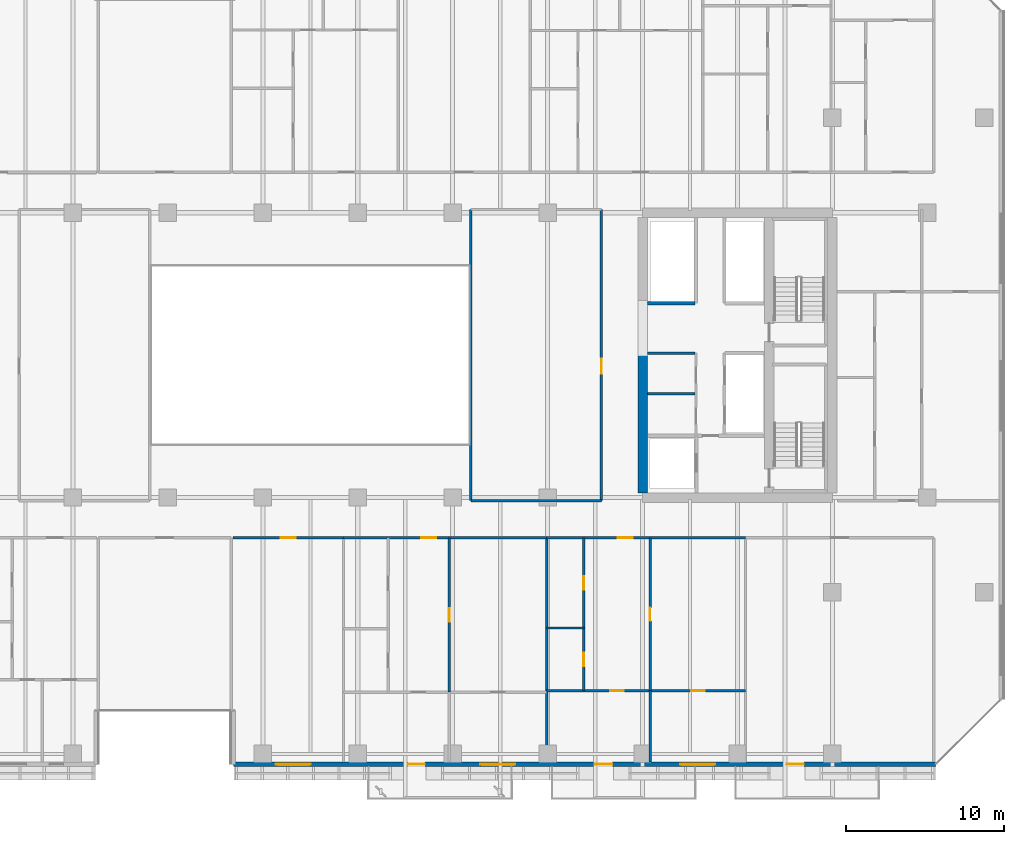
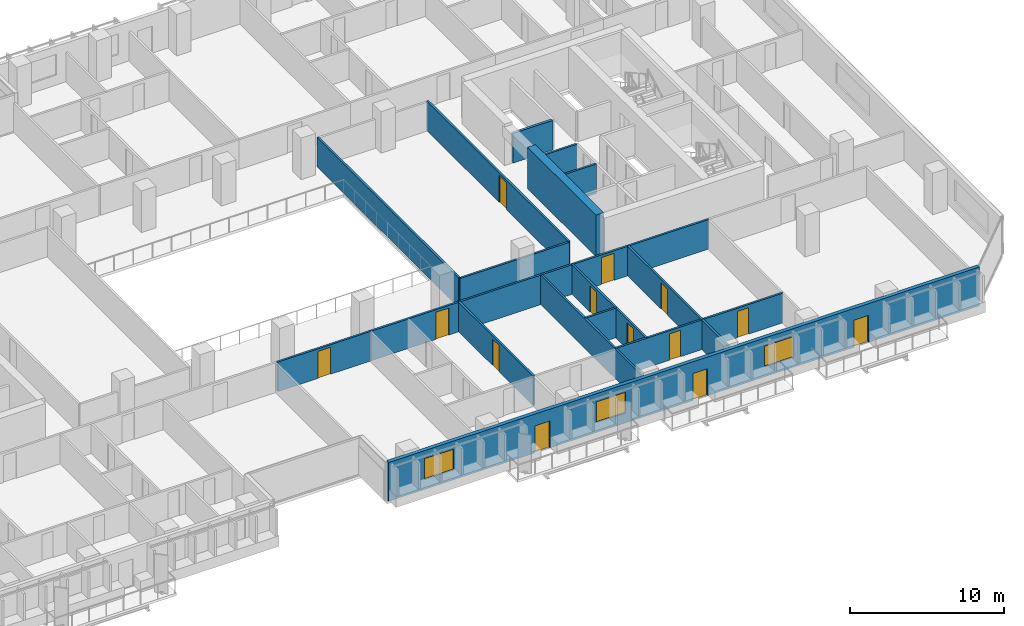
# One storey, part 21 of 34: 18 walls, 13 doors, 3 windows, 16 openings.
"""IFC4 building model written with IfcOpenShell, lengths in metres."""

from ifc_helpers import new_model, si_unit, direction, frame, frame_2d, origin, place, context, subcontext, project, spatial, rectangle, extrude, material, layer, layer_set, type_object, element, fill, save


model = new_model("IFC4")

# Units and contexts
model_context = context("Model", 3, precision=1e-05, world=origin(), true_north=direction((0.0, 1.0)))
body_context = subcontext(model_context, "Body", "Model", "MODEL_VIEW")
ifc_project = project(units=[si_unit("LENGTHUNIT", "METRE"), si_unit("AREAUNIT", "SQUARE_METRE"), si_unit("VOLUMEUNIT", "CUBIC_METRE"), si_unit("PLANEANGLEUNIT", "RADIAN"), si_unit("MASSUNIT", "GRAM", prefix="KILO")], contexts=[model_context])

# Site, building, storey
site_placement = place(None, origin())
site = spatial("IfcSite", under=ifc_project, at=site_placement, CompositionType="ELEMENT")
building_placement = place(site_placement, origin())
building = spatial("IfcBuilding", under=site, at=building_placement, Name="Tanjung Sevakor Pilgrim Tower", CompositionType="ELEMENT")
storey_placement = place(building_placement, frame((0.0, 0.0, 55.43994140625)))
storey = spatial("IfcBuildingStorey", under=building, at=storey_placement, Name="L15", CompositionType="ELEMENT", Elevation=55.43994140625)

# Walls
ifc_material_1 = material(Name="Concrete C60/75", Category="concrete")
ifc_layer_1 = layer(ifc_material_1, 0.60009765625)
ifc_layer_set_1 = layer_set([ifc_layer_1], Name="WALL-CW-600")
wall_type_1 = type_object("IfcWallType", Name="WALL-CW-600", PredefinedType="SHEAR", material=ifc_layer_set_1)
wall_1_placement = place(storey_placement, frame((78.0, 24.89990234375, 0.0), z_axis=(0.0, 0.0, 1.0), x_axis=(0.0, 1.0, 0.0)))
element("IfcWall", 1, at=wall_1_placement, inside=storey, type_object=wall_type_1, Name="L15 E Core Inner Shear Wall South", PredefinedType="SHEAR", context=body_context, shape_type="SweptSolid", body=[
    extrude(rectangle(XDim=8.900146484375, YDim=0.60009765625, at=frame_2d((4.4501953125, 0.0))), origin(), (0.0, 0.0, 1.0), 3.300048828125),
])
ifc_material_2 = material(Name="Concrete C40/50", Category="concrete")
ifc_layer_2 = layer(ifc_material_2, 0.14990234375)
ifc_layer_set_2 = layer_set([ifc_layer_2], Name="WT-COMP-150")
wall_type_2 = type_object("IfcWallType", Name="WT-COMP-150", PredefinedType="SOLIDWALL", material=ifc_layer_set_2)
for number, where, z_axis, x_axis, name in (
    (2, (78.320068359375, 31.14990234375, 0.0), (0.0, 0.0, 1.0), (1.0, 0.0, 0.0), "L15 Partition IW-L15-016"),
    (3, (78.320068359375, 33.719970703125, 0.0), (0.0, 0.0, 1.0), (1.0, 0.0, 0.0), "L15 Partition IW-L15-017"),
):
    element("IfcWall", number, at=place(storey_placement, frame(where, z_axis=z_axis, x_axis=x_axis)), inside=storey, type_object=wall_type_2, Name=name, PredefinedType="SOLIDWALL", context=body_context, shape_type="SweptSolid", body=[
        extrude(rectangle(XDim=3.0, YDim=0.14990234375, at=frame_2d((1.5, 0.0))), origin(), (0.0, 0.0, 1.0), 2.35009765625),
    ])
wall_2_placement = place(storey_placement, frame((67.14990234375, 24.39990234375, 0.0), z_axis=(0.0, 0.0, 1.0), x_axis=(1.0, 0.0, 0.0)))
element("IfcWall", 4, at=wall_2_placement, inside=storey, type_object=wall_type_2, Name="L15 Partition IW-L15-027", PredefinedType="SOLIDWALL", context=body_context, shape_type="SweptSolid", body=[
    extrude(rectangle(XDim=8.25, YDim=0.14990234375, at=frame_2d((4.125, 0.0))), origin(), (0.0, 0.0, 1.0), 2.295166015625),
])
wall_3_placement = place(storey_placement, frame((67.14990234375, 24.39990234375, 0.0), z_axis=(0.0, 0.0, 1.0), x_axis=(0.0, 1.0, 0.0)))
element("IfcWall", 5, at=wall_3_placement, inside=storey, type_object=wall_type_2, Name="L15 Partition IW-L15-029", PredefinedType="SOLIDWALL", context=body_context, shape_type="SweptSolid", body=[
    extrude(rectangle(XDim=18.400146484375, YDim=0.14990234375, at=frame_2d((9.2001953125, 0.0))), origin(), (0.0, 0.0, 1.0), 2.35009765625),
])

# Wall, opening, door
wall_4_placement = place(storey_placement, frame((75.39990234375, 24.39990234375, 0.0), z_axis=(0.0, 0.0, 1.0), x_axis=(0.0, 1.0, 0.0)))
wall_4 = element("IfcWall", 6, at=wall_4_placement, inside=storey, type_object=wall_type_2, Name="L15 Partition IW-L15-030", PredefinedType="SOLIDWALL", context=body_context, shape_type="SweptSolid", body=[
    extrude(rectangle(XDim=18.400146484375, YDim=0.14990234375, at=frame_2d((9.2001953125, 0.0))), origin(), (0.0, 0.0, 1.0), 2.35009765625),
])
opening_1_placement = place(wall_4_placement, frame((8.02490234375, 0.0, 0.0)))
opening_1 = element("IfcOpeningElement", 7, at=opening_1_placement, cuts=wall_4, Name="Opening ID-RM1", PredefinedType="OPENING", context=body_context, shape_type="SweptSolid", body=[
    extrude(rectangle(XDim=0.949951171875, YDim=2.14990234375, at=frame_2d((0.47509765625, 1.074951171875))), frame((0.0, 0.0849609375, 0.0), z_axis=(0.0, -1.0, 0.0), x_axis=(1.0, 0.0, 0.0)), (0.0, 0.0, 1.0), 0.169921875),
])
ifc_material_3 = material(Name="Hardwood Timber", Category="wood")
door_type_1 = type_object("IfcDoorType", Name="DT-INT-950", OperationType="NOTDEFINED", PredefinedType="DOOR", material=ifc_material_3)
door_1_placement = place(opening_1_placement, origin())
door_1 = element("IfcDoor", 8, at=door_1_placement, inside=storey, type_object=door_type_1, Name="L15 Central East Room Door", OperationType="SINGLE_SWING_RIGHT", OverallHeight=2.14990234375, OverallWidth=0.949951171875, PredefinedType="DOOR", context=body_context, shape_type="SweptSolid", body=[
    extrude(rectangle(XDim=0.949951171875, YDim=2.14990234375, at=frame_2d((0.47509765625, 1.074951171875))), frame((0.0, 0.02490234375, 0.0), z_axis=(0.0, -1.0, 0.0), x_axis=(1.0, 0.0, 0.0)), (0.0, 0.0, 1.0), 0.050048828125),
])
fill(opening_1, door_1)

wall_5_placement = place(storey_placement, frame((52.1201171875, 22.050048828125, 0.0), z_axis=(0.0, 0.0, 1.0), x_axis=(1.0, 0.0, 0.0)))
wall_5 = element("IfcWall", 9, at=wall_5_placement, inside=storey, type_object=wall_type_2, Name="L15 Partition IW-L15-060", PredefinedType="SOLIDWALL", context=body_context, shape_type="SweptSolid", body=[
    extrude(rectangle(XDim=6.979736328125, YDim=0.14990234375, at=frame_2d((3.48974609375, 0.0))), origin(), (0.0, 0.0, 1.0), 2.35009765625),
])
opening_2_placement = place(wall_5_placement, frame((3.014892578125, 0.0, 0.0)))
opening_2 = element("IfcOpeningElement", 10, at=opening_2_placement, cuts=wall_5, Name="Opening ID-FD2", PredefinedType="OPENING", context=body_context, shape_type="SweptSolid", body=[
    extrude(rectangle(XDim=0.949951171875, YDim=2.14990234375, at=frame_2d((0.47509765625, 1.074951171875))), frame((0.0, 0.0849609375, 0.0), z_axis=(0.0, -1.0, 0.0), x_axis=(1.0, 0.0, 0.0)), (0.0, 0.0, 1.0), 0.169921875),
])
ifc_material_4 = material(Name="Fire-Rated Timber", Category="wood")
door_type_2 = type_object("IfcDoorType", Name="DT-FIRE-950", OperationType="NOTDEFINED", PredefinedType="DOOR", material=ifc_material_4)
door_2_placement = place(opening_2_placement, origin())
door_2 = element("IfcDoor", 11, at=door_2_placement, inside=storey, type_object=door_type_2, Name="Housekeeping Pantry Door", OperationType="SINGLE_SWING_LEFT", OverallHeight=2.14990234375, OverallWidth=0.949951171875, PredefinedType="DOOR", context=body_context, shape_type="SweptSolid", body=[
    extrude(rectangle(XDim=0.949951171875, YDim=2.14990234375, at=frame_2d((0.47509765625, 1.074951171875))), frame((0.0, 0.02490234375, 0.0), z_axis=(0.0, -1.0, 0.0), x_axis=(1.0, 0.0, 0.0)), (0.0, 0.0, 1.0), 0.050048828125),
])
fill(opening_2, door_2)

# Wall
wall_6_placement = place(storey_placement, frame((71.942626953125, 7.8798828125, 0.0), z_axis=(0.0, 0.0, 1.0), x_axis=(0.0, 1.0, 0.0)))
element("IfcWall", 12, at=wall_6_placement, inside=storey, type_object=wall_type_2, Name="L15 Partition IW-L15-061", PredefinedType="SOLIDWALL", context=body_context, shape_type="SweptSolid", body=[
    extrude(rectangle(XDim=14.170166015625, YDim=0.14990234375, at=frame_2d((7.0849609375, 0.0))), origin(), (0.0, 0.0, 1.0), 2.35009765625),
])

# Wall, opening, door
wall_7_placement = place(storey_placement, frame((59.099853515625, 22.050048828125, 0.0), z_axis=(0.0, 0.0, 1.0), x_axis=(1.0, 0.0, 0.0)))
wall_7 = element("IfcWall", 13, at=wall_7_placement, inside=storey, type_object=wall_type_2, Name="L15 Partition IW-L15-067", PredefinedType="SOLIDWALL", context=body_context, shape_type="SweptSolid", body=[
    extrude(rectangle(XDim=12.8427734375, YDim=0.14990234375, at=frame_2d((6.42138671875, 0.0))), origin(), (0.0, 0.0, 1.0), 2.35009765625),
])
opening_3_placement = place(wall_7_placement, frame((4.916015625, 0.0, 0.0)))
opening_3 = element("IfcOpeningElement", 14, at=opening_3_placement, cuts=wall_7, Name="Opening ID-FD2", PredefinedType="OPENING", context=body_context, shape_type="SweptSolid", body=[
    extrude(rectangle(XDim=0.949951171875, YDim=2.14990234375, at=frame_2d((0.47509765625, 1.074951171875))), frame((0.0, 0.0849609375, 0.0), z_axis=(0.0, -1.0, 0.0), x_axis=(1.0, 0.0, 0.0)), (0.0, 0.0, 1.0), 0.169921875),
])
door_3_placement = place(opening_3_placement, origin())
door_3 = element("IfcDoor", 15, at=door_3_placement, inside=storey, type_object=door_type_2, Name="Suite Entrance", OperationType="SINGLE_SWING_LEFT", OverallHeight=2.14990234375, OverallWidth=0.949951171875, PredefinedType="DOOR", context=body_context, shape_type="SweptSolid", body=[
    extrude(rectangle(XDim=0.949951171875, YDim=2.14990234375, at=frame_2d((0.47509765625, 1.074951171875))), frame((0.0, 0.02490234375, 0.0), z_axis=(0.0, -1.0, 0.0), x_axis=(1.0, 0.0, 0.0)), (0.0, 0.0, 1.0), 0.050048828125),
])
fill(opening_3, door_3)

wall_8_placement = place(storey_placement, frame((71.942626953125, 22.050048828125, 0.0), z_axis=(0.0, 0.0, 1.0), x_axis=(1.0, 0.0, 0.0)))
wall_8 = element("IfcWall", 16, at=wall_8_placement, inside=storey, type_object=wall_type_2, Name="L15 Partition IW-L15-074", PredefinedType="SOLIDWALL", context=body_context, shape_type="SweptSolid", body=[
    extrude(rectangle(XDim=12.563720703125, YDim=0.14990234375, at=frame_2d((6.28173828125, 0.0))), origin(), (0.0, 0.0, 1.0), 2.35009765625),
])
opening_4_placement = place(wall_8_placement, frame((4.493408203125, 0.0, 0.0)))
opening_4 = element("IfcOpeningElement", 17, at=opening_4_placement, cuts=wall_8, Name="Opening ID-FD2", PredefinedType="OPENING", context=body_context, shape_type="SweptSolid", body=[
    extrude(rectangle(XDim=0.949951171875, YDim=2.14990234375, at=frame_2d((0.47509765625, 1.074951171875))), frame((0.0, 0.0849609375, 0.0), z_axis=(0.0, -1.0, 0.0), x_axis=(1.0, 0.0, 0.0)), (0.0, 0.0, 1.0), 0.169921875),
])
door_4_placement = place(opening_4_placement, origin())
door_4 = element("IfcDoor", 18, at=door_4_placement, inside=storey, type_object=door_type_2, Name="Suite Entrance", OperationType="SINGLE_SWING_LEFT", OverallHeight=2.14990234375, OverallWidth=0.949951171875, PredefinedType="DOOR", context=body_context, shape_type="SweptSolid", body=[
    extrude(rectangle(XDim=0.949951171875, YDim=2.14990234375, at=frame_2d((0.47509765625, 1.074951171875))), frame((0.0, 0.02490234375, 0.0), z_axis=(0.0, -1.0, 0.0), x_axis=(1.0, 0.0, 0.0)), (0.0, 0.0, 1.0), 0.050048828125),
])
fill(opening_4, door_4)

# Wall, openings, doors, windows
ifc_material_5 = material(Name="Precast concrete C45/55", Category="concrete")
ifc_layer_3 = layer(ifc_material_5, 0.280029296875)
ifc_layer_set_3 = layer_set([ifc_layer_3], Name="WT-EW-STN2")
wall_type_3 = type_object("IfcWallType", Name="WT-EW-STN2", PredefinedType="SOLIDWALL", material=ifc_layer_set_3)
wall_9_placement = place(storey_placement, frame((52.139892578125, 7.739990234375, 0.0), z_axis=(0.0, 0.0, 1.0), x_axis=(1.0, 0.0, 0.0)))
wall_9 = element("IfcWall", 19, at=wall_9_placement, inside=storey, type_object=wall_type_3, Name="L15 MAIN Exterior Wall 5", PredefinedType="SOLIDWALL", context=body_context, shape_type="SweptSolid", body=[
    extrude(rectangle(XDim=44.402099609375, YDim=0.280029296875, at=frame_2d((22.201171875, 0.0))), origin(), (0.0, 0.0, 1.0), 3.080078125),
])
opening_5_placement = place(wall_9_placement, frame((11.010009765625, 0.0, 0.0)))
opening_5 = element("IfcOpeningElement", 20, at=opening_5_placement, cuts=wall_9, Name="Opening ED-BAL-1100", PredefinedType="OPENING", context=body_context, shape_type="SweptSolid", body=[
    extrude(rectangle(XDim=1.10009765625, YDim=2.14990234375, at=frame_2d((0.550048828125, 1.074951171875))), frame((0.0, 0.14990234375, 0.0), z_axis=(0.0, -1.0, 0.0), x_axis=(1.0, 0.0, 0.0)), (0.0, 0.0, 1.0), 0.300048828125),
])
opening_6_placement = place(wall_9_placement, frame((22.860107421875, 0.0, 0.0)))
opening_6 = element("IfcOpeningElement", 21, at=opening_6_placement, cuts=wall_9, Name="Opening ED-BAL-1100", PredefinedType="OPENING", context=body_context, shape_type="SweptSolid", body=[
    extrude(rectangle(XDim=1.10009765625, YDim=2.14990234375, at=frame_2d((0.550048828125, 1.074951171875))), frame((0.0, 0.14990234375, 0.0), z_axis=(0.0, -1.0, 0.0), x_axis=(1.0, 0.0, 0.0)), (0.0, 0.0, 1.0), 0.300048828125),
])
opening_7_placement = place(wall_9_placement, frame((34.9599609375, 0.0, 0.0)))
opening_7 = element("IfcOpeningElement", 22, at=opening_7_placement, cuts=wall_9, Name="Opening ED-BAL-1100", PredefinedType="OPENING", context=body_context, shape_type="SweptSolid", body=[
    extrude(rectangle(XDim=1.10009765625, YDim=2.14990234375, at=frame_2d((0.550048828125, 1.074951171875))), frame((0.0, 0.14990234375, 0.0), z_axis=(0.0, -1.0, 0.0), x_axis=(1.0, 0.0, 0.0)), (0.0, 0.0, 1.0), 0.300048828125),
])
opening_8_placement = place(wall_9_placement, frame((2.68994140625, 0.0, 0.780029296875)))
opening_8 = element("IfcOpeningElement", 23, at=opening_8_placement, cuts=wall_9, Name="Opening WN-Z1-1660", PredefinedType="OPENING", context=body_context, shape_type="SweptSolid", body=[
    extrude(rectangle(XDim=2.199951171875, YDim=1.659912109375, at=frame_2d((1.10009765625, 0.830078125))), frame((0.0, 0.14990234375, 0.0), z_axis=(0.0, -1.0, 0.0), x_axis=(1.0, 0.0, 0.0)), (0.0, 0.0, 1.0), 0.300048828125),
])
opening_9_placement = place(wall_9_placement, frame((15.6103515625, 0.0, 0.780029296875)))
opening_9 = element("IfcOpeningElement", 24, at=opening_9_placement, cuts=wall_9, Name="Opening WN-Z1-1660", PredefinedType="OPENING", context=body_context, shape_type="SweptSolid", body=[
    extrude(rectangle(XDim=2.199951171875, YDim=1.659912109375, at=frame_2d((1.10009765625, 0.830078125))), frame((0.0, 0.14990234375, 0.0), z_axis=(0.0, -1.0, 0.0), x_axis=(1.0, 0.0, 0.0)), (0.0, 0.0, 1.0), 0.300048828125),
])
opening_10_placement = place(wall_9_placement, frame((28.2412109375, 0.0, 0.780029296875)))
opening_10 = element("IfcOpeningElement", 25, at=opening_10_placement, cuts=wall_9, Name="Opening WN-Z1-1660", PredefinedType="OPENING", context=body_context, shape_type="SweptSolid", body=[
    extrude(rectangle(XDim=2.199951171875, YDim=1.659912109375, at=frame_2d((1.10009765625, 0.830078125))), frame((0.0, 0.14990234375, 0.0), z_axis=(0.0, -1.0, 0.0), x_axis=(1.0, 0.0, 0.0)), (0.0, 0.0, 1.0), 0.300048828125),
])
ifc_material_6 = material(Name="Anodised Aluminium and Laminated Glass", Category="aluminium")
door_type_3 = type_object("IfcDoorType", Name="DTYP-ED-BAL-1100", OperationType="NOTDEFINED", PredefinedType="DOOR", material=ifc_material_6)
door_5_placement = place(opening_5_placement, frame((1.10009765625, 0.0, 0.0), z_axis=(0.0, 0.0, 1.0), x_axis=(-1.0, 0.0, 0.0)))
door_5 = element("IfcDoor", 26, at=door_5_placement, inside=storey, type_object=door_type_3, Name="L15 Balcony Door MAIN-S2", OperationType="SINGLE_SWING_LEFT", OverallHeight=2.14990234375, OverallWidth=1.10009765625, PredefinedType="DOOR", context=body_context, shape_type="SweptSolid", body=[
    extrude(rectangle(XDim=1.10009765625, YDim=2.14990234375, at=frame_2d((0.550048828125, 1.074951171875))), frame((0.0, 0.02490234375, 0.0), z_axis=(0.0, -1.0, 0.0), x_axis=(1.0, 0.0, 0.0)), (0.0, 0.0, 1.0), 0.050048828125),
])
fill(opening_5, door_5)
door_6_placement = place(opening_6_placement, frame((1.10009765625, 0.0, 0.0), z_axis=(0.0, 0.0, 1.0), x_axis=(-1.0, 0.0, 0.0)))
door_6 = element("IfcDoor", 27, at=door_6_placement, inside=storey, type_object=door_type_3, Name="L15 Balcony Door MAIN-S3", OperationType="SINGLE_SWING_RIGHT", OverallHeight=2.14990234375, OverallWidth=1.10009765625, PredefinedType="DOOR", context=body_context, shape_type="SweptSolid", body=[
    extrude(rectangle(XDim=1.10009765625, YDim=2.14990234375, at=frame_2d((0.550048828125, 1.074951171875))), frame((0.0, 0.02490234375, 0.0), z_axis=(0.0, -1.0, 0.0), x_axis=(1.0, 0.0, 0.0)), (0.0, 0.0, 1.0), 0.050048828125),
])
fill(opening_6, door_6)
door_7_placement = place(opening_7_placement, frame((1.10009765625, 0.0, 0.0), z_axis=(0.0, 0.0, 1.0), x_axis=(-1.0, 0.0, 0.0)))
door_7 = element("IfcDoor", 28, at=door_7_placement, inside=storey, type_object=door_type_3, Name="L15 Balcony Door MAIN-S4", OperationType="SINGLE_SWING_LEFT", OverallHeight=2.14990234375, OverallWidth=1.10009765625, PredefinedType="DOOR", context=body_context, shape_type="SweptSolid", body=[
    extrude(rectangle(XDim=1.10009765625, YDim=2.14990234375, at=frame_2d((0.550048828125, 1.074951171875))), frame((0.0, 0.02490234375, 0.0), z_axis=(0.0, -1.0, 0.0), x_axis=(1.0, 0.0, 0.0)), (0.0, 0.0, 1.0), 0.050048828125),
])
fill(opening_7, door_7)
ifc_material_7 = material(Name="Thermally Broken Aluminium and Low-E Glass", Category="aluminium")
window_type = type_object("IfcWindowType", Name="WTYP-WN-Z1-1660", PartitioningType="DOUBLE_PANEL_VERTICAL", PredefinedType="WINDOW", material=ifc_material_7)
window_1_placement = place(opening_8_placement, origin())
window_1 = element("IfcWindow", 29, at=window_1_placement, inside=storey, type_object=window_type, Name="L15 Facade Window 01", OverallHeight=1.659912109375, OverallWidth=2.199951171875, PartitioningType="SINGLE_PANEL", PredefinedType="WINDOW", context=body_context, shape_type="SweptSolid", body=[
    extrude(rectangle(XDim=2.199951171875, YDim=1.659912109375, at=frame_2d((1.10009765625, 0.830078125))), frame((0.0, 0.030029296875, 0.0), z_axis=(0.0, -1.0, 0.0), x_axis=(1.0, 0.0, 0.0)), (0.0, 0.0, 1.0), 0.06005859375),
])
fill(opening_8, window_1)
window_2_placement = place(opening_9_placement, origin())
window_2 = element("IfcWindow", 30, at=window_2_placement, inside=storey, type_object=window_type, Name="L15 Facade Window 02", OverallHeight=1.659912109375, OverallWidth=2.199951171875, PartitioningType="SINGLE_PANEL", PredefinedType="WINDOW", context=body_context, shape_type="SweptSolid", body=[
    extrude(rectangle(XDim=2.199951171875, YDim=1.659912109375, at=frame_2d((1.10009765625, 0.830078125))), frame((0.0, 0.030029296875, 0.0), z_axis=(0.0, -1.0, 0.0), x_axis=(1.0, 0.0, 0.0)), (0.0, 0.0, 1.0), 0.06005859375),
])
fill(opening_9, window_2)
window_3_placement = place(opening_10_placement, origin())
window_3 = element("IfcWindow", 31, at=window_3_placement, inside=storey, type_object=window_type, Name="L15 Facade Window 03", OverallHeight=1.659912109375, OverallWidth=2.199951171875, PartitioningType="SINGLE_PANEL", PredefinedType="WINDOW", context=body_context, shape_type="SweptSolid", body=[
    extrude(rectangle(XDim=2.199951171875, YDim=1.659912109375, at=frame_2d((1.10009765625, 0.830078125))), frame((0.0, 0.030029296875, 0.0), z_axis=(0.0, -1.0, 0.0), x_axis=(1.0, 0.0, 0.0)), (0.0, 0.0, 1.0), 0.06005859375),
])
fill(opening_10, window_3)

# Wall
ifc_material_8 = material(Name="Concrete C40/50", Category="concrete")
ifc_layer_4 = layer(ifc_material_8, 0.199951171875)
ifc_layer_set_4 = layer_set([ifc_layer_4], Name="WT-FPRT-200")
wall_type_4 = type_object("IfcWallType", Name="WT-FPRT-200", PredefinedType="SOLIDWALL", material=ifc_layer_set_4)
wall_10_placement = place(storey_placement, frame((78.320068359375, 36.8798828125, 0.0), z_axis=(0.0, 0.0, 1.0), x_axis=(1.0, 0.0, 0.0)))
element("IfcWall", 32, at=wall_10_placement, inside=storey, type_object=wall_type_4, Name="L15 Partition IW-L15-021", PredefinedType="SOLIDWALL", context=body_context, shape_type="SweptSolid", body=[
    extrude(rectangle(XDim=3.0, YDim=0.199951171875, at=frame_2d((1.5, 0.0))), origin(), (0.0, 0.0, 1.0), 2.35009765625),
])

# Wall, opening, door
ifc_material_9 = material(Name="Gypsum Board Partition", Category="gypsum board")
ifc_layer_5 = layer(ifc_material_9, 0.14990234375)
ifc_layer_set_5 = layer_set([ifc_layer_5], Name="WT-PART-150")
wall_type_5 = type_object("IfcWallType", Name="WT-PART-150", PredefinedType="PARTITIONING", material=ifc_layer_set_5)
wall_11_placement = place(storey_placement, frame((65.778076171875, 12.29736328125, 0.0), z_axis=(0.0, 0.0, 1.0), x_axis=(0.0, 1.0, 0.0)))
wall_11 = element("IfcWall", 33, at=wall_11_placement, inside=storey, type_object=wall_type_5, Name="L15 Partition IW-L15-062", PredefinedType="PARTITIONING", context=body_context, shape_type="SweptSolid", body=[
    extrude(rectangle(XDim=9.752685546875, YDim=0.14990234375, at=frame_2d((4.87646484375, 0.0))), origin(), (0.0, 0.0, 1.0), 2.35009765625),
])
opening_11_placement = place(wall_11_placement, frame((4.451416015625, 0.0, 0.0)))
opening_11 = element("IfcOpeningElement", 34, at=opening_11_placement, cuts=wall_11, Name="Opening ID-WC1", PredefinedType="OPENING", context=body_context, shape_type="SweptSolid", body=[
    extrude(rectangle(XDim=0.85009765625, YDim=2.10009765625, at=frame_2d((0.425048828125, 1.050048828125))), frame((0.0, 0.0849609375, 0.0), z_axis=(0.0, -1.0, 0.0), x_axis=(1.0, 0.0, 0.0)), (0.0, 0.0, 1.0), 0.169921875),
])
ifc_material_10 = material(Name="Moisture-Resistant Timber", Category="wood")
door_type_4 = type_object("IfcDoorType", Name="DT-INT-850", OperationType="NOTDEFINED", PredefinedType="DOOR", material=ifc_material_10)
door_8_placement = place(opening_11_placement, origin())
door_8 = element("IfcDoor", 35, at=door_8_placement, inside=storey, type_object=door_type_4, Name="Suite Study Room Door", OperationType="SINGLE_SWING_RIGHT", OverallHeight=2.10009765625, OverallWidth=0.85009765625, PredefinedType="DOOR", context=body_context, shape_type="SweptSolid", body=[
    extrude(rectangle(XDim=0.85009765625, YDim=2.10009765625, at=frame_2d((0.425048828125, 1.050048828125))), frame((0.0, 0.02490234375, 0.0), z_axis=(0.0, -1.0, 0.0), x_axis=(1.0, 0.0, 0.0)), (0.0, 0.0, 1.0), 0.050048828125),
])
fill(opening_11, door_8)

wall_12_placement = place(storey_placement, frame((78.475830078125, 12.3955078125, 0.0), z_axis=(0.0, 0.0, 1.0), x_axis=(0.0, 1.0, 0.0)))
wall_12 = element("IfcWall", 36, at=wall_12_placement, inside=storey, type_object=wall_type_5, Name="L15 Partition IW-L15-069", PredefinedType="PARTITIONING", context=body_context, shape_type="SweptSolid", body=[
    extrude(rectangle(XDim=9.654541015625, YDim=0.14990234375, at=frame_2d((4.8271484375, 0.0))), origin(), (0.0, 0.0, 1.0), 2.35009765625),
])
opening_12_placement = place(wall_12_placement, frame((4.40234375, 0.0, 0.0)))
opening_12 = element("IfcOpeningElement", 37, at=opening_12_placement, cuts=wall_12, Name="Opening ID-WC1", PredefinedType="OPENING", context=body_context, shape_type="SweptSolid", body=[
    extrude(rectangle(XDim=0.85009765625, YDim=2.10009765625, at=frame_2d((0.425048828125, 1.050048828125))), frame((0.0, 0.0849609375, 0.0), z_axis=(0.0, -1.0, 0.0), x_axis=(1.0, 0.0, 0.0)), (0.0, 0.0, 1.0), 0.169921875),
])
door_9_placement = place(opening_12_placement, origin())
door_9 = element("IfcDoor", 38, at=door_9_placement, inside=storey, type_object=door_type_4, Name="Suite Study Room Door", OperationType="SINGLE_SWING_RIGHT", OverallHeight=2.10009765625, OverallWidth=0.85009765625, PredefinedType="DOOR", context=body_context, shape_type="SweptSolid", body=[
    extrude(rectangle(XDim=0.85009765625, YDim=2.10009765625, at=frame_2d((0.425048828125, 1.050048828125))), frame((0.0, 0.02490234375, 0.0), z_axis=(0.0, -1.0, 0.0), x_axis=(1.0, 0.0, 0.0)), (0.0, 0.0, 1.0), 0.050048828125),
])
fill(opening_12, door_9)

# Wall
wall_13_placement = place(storey_placement, frame((71.942626953125, 16.353759765625, 0.0), z_axis=(0.0, 0.0, 1.0), x_axis=(1.0, 0.0, 0.0)))
element("IfcWall", 39, at=wall_13_placement, inside=storey, type_object=wall_type_5, Name="L15 Partition IW-L15-070", PredefinedType="PARTITIONING", context=body_context, shape_type="SweptSolid", body=[
    extrude(rectangle(XDim=2.35009765625, YDim=0.14990234375, at=frame_2d((1.175048828125, 0.0))), origin(), (0.0, 0.0, 1.0), 2.35009765625),
])

# Wall, openings, doors
wall_14_placement = place(storey_placement, frame((74.292724609375, 12.3955078125, 0.0), z_axis=(0.0, 0.0, 1.0), x_axis=(0.0, 1.0, 0.0)))
wall_14 = element("IfcWall", 40, at=wall_14_placement, inside=storey, type_object=wall_type_5, Name="L15 Partition IW-L15-071", PredefinedType="PARTITIONING", context=body_context, shape_type="SweptSolid", body=[
    extrude(rectangle(XDim=9.654541015625, YDim=0.14990234375, at=frame_2d((4.8271484375, 0.0))), origin(), (0.0, 0.0, 1.0), 2.35009765625),
])
opening_13_placement = place(wall_14_placement, frame((1.55419921875, 0.0, 0.0)))
opening_13 = element("IfcOpeningElement", 41, at=opening_13_placement, cuts=wall_14, Name="Opening ID-WC1", PredefinedType="OPENING", context=body_context, shape_type="SweptSolid", body=[
    extrude(rectangle(XDim=0.85009765625, YDim=2.10009765625, at=frame_2d((0.425048828125, 1.050048828125))), frame((0.0, 0.0849609375, 0.0), z_axis=(0.0, -1.0, 0.0), x_axis=(1.0, 0.0, 0.0)), (0.0, 0.0, 1.0), 0.169921875),
])
opening_14_placement = place(wall_14_placement, frame((6.38134765625, 0.0, 0.0)))
opening_14 = element("IfcOpeningElement", 42, at=opening_14_placement, cuts=wall_14, Name="Opening ID-WC1", PredefinedType="OPENING", context=body_context, shape_type="SweptSolid", body=[
    extrude(rectangle(XDim=0.85009765625, YDim=2.10009765625, at=frame_2d((0.425048828125, 1.050048828125))), frame((0.0, 0.0849609375, 0.0), z_axis=(0.0, -1.0, 0.0), x_axis=(1.0, 0.0, 0.0)), (0.0, 0.0, 1.0), 0.169921875),
])
door_10_placement = place(opening_13_placement, origin())
door_10 = element("IfcDoor", 43, at=door_10_placement, inside=storey, type_object=door_type_4, Name="Suite Bathroom Door", OperationType="SINGLE_SWING_LEFT", OverallHeight=2.10009765625, OverallWidth=0.85009765625, PredefinedType="DOOR", context=body_context, shape_type="SweptSolid", body=[
    extrude(rectangle(XDim=0.85009765625, YDim=2.10009765625, at=frame_2d((0.425048828125, 1.050048828125))), frame((0.0, 0.02490234375, 0.0), z_axis=(0.0, -1.0, 0.0), x_axis=(1.0, 0.0, 0.0)), (0.0, 0.0, 1.0), 0.050048828125),
])
fill(opening_13, door_10)
door_11_placement = place(opening_14_placement, origin())
door_11 = element("IfcDoor", 44, at=door_11_placement, inside=storey, type_object=door_type_4, Name="Suite Kitchenette Door", OperationType="SINGLE_SWING_RIGHT", OverallHeight=2.10009765625, OverallWidth=0.85009765625, PredefinedType="DOOR", context=body_context, shape_type="SweptSolid", body=[
    extrude(rectangle(XDim=0.85009765625, YDim=2.10009765625, at=frame_2d((0.425048828125, 1.050048828125))), frame((0.0, 0.02490234375, 0.0), z_axis=(0.0, -1.0, 0.0), x_axis=(1.0, 0.0, 0.0)), (0.0, 0.0, 1.0), 0.050048828125),
])
fill(opening_14, door_11)

# Wall
wall_15_placement = place(storey_placement, frame((78.475830078125, 7.8798828125, 0.0), z_axis=(0.0, 0.0, 1.0), x_axis=(0.0, 1.0, 0.0)))
element("IfcWall", 45, at=wall_15_placement, inside=storey, type_object=wall_type_5, Name="L15 Partition IW-L15-072", PredefinedType="PARTITIONING", context=body_context, shape_type="SweptSolid", body=[
    extrude(rectangle(XDim=4.515625, YDim=0.14990234375, at=frame_2d((2.2578125, 0.0))), origin(), (0.0, 0.0, 1.0), 2.35009765625),
])

# Wall, openings, doors
wall_16_placement = place(storey_placement, frame((71.942626953125, 12.3955078125, 0.0), z_axis=(0.0, 0.0, 1.0), x_axis=(1.0, 0.0, 0.0)))
wall_16 = element("IfcWall", 46, at=wall_16_placement, inside=storey, type_object=wall_type_5, Name="L15 Partition IW-L15-073", PredefinedType="PARTITIONING", context=body_context, shape_type="SweptSolid", body=[
    extrude(rectangle(XDim=12.563720703125, YDim=0.14990234375, at=frame_2d((6.28173828125, 0.0))), origin(), (0.0, 0.0, 1.0), 2.35009765625),
])
opening_15_placement = place(wall_16_placement, frame((4.0166015625, 0.0, 0.0)))
opening_15 = element("IfcOpeningElement", 47, at=opening_15_placement, cuts=wall_16, Name="Opening ID-WC1", PredefinedType="OPENING", context=body_context, shape_type="SweptSolid", body=[
    extrude(rectangle(XDim=0.85009765625, YDim=2.10009765625, at=frame_2d((0.425048828125, 1.050048828125))), frame((0.0, 0.0849609375, 0.0), z_axis=(0.0, -1.0, 0.0), x_axis=(1.0, 0.0, 0.0)), (0.0, 0.0, 1.0), 0.169921875),
])
opening_16_placement = place(wall_16_placement, frame((9.123291015625, 0.0, 0.0)))
opening_16 = element("IfcOpeningElement", 48, at=opening_16_placement, cuts=wall_16, Name="Opening ID-WC1", PredefinedType="OPENING", context=body_context, shape_type="SweptSolid", body=[
    extrude(rectangle(XDim=0.85009765625, YDim=2.10009765625, at=frame_2d((0.425048828125, 1.050048828125))), frame((0.0, 0.0849609375, 0.0), z_axis=(0.0, -1.0, 0.0), x_axis=(1.0, 0.0, 0.0)), (0.0, 0.0, 1.0), 0.169921875),
])
door_12_placement = place(opening_15_placement, origin())
door_12 = element("IfcDoor", 49, at=door_12_placement, inside=storey, type_object=door_type_4, Name="Suite Bedroom 1 Door", OperationType="SINGLE_SWING_LEFT", OverallHeight=2.10009765625, OverallWidth=0.85009765625, PredefinedType="DOOR", context=body_context, shape_type="SweptSolid", body=[
    extrude(rectangle(XDim=0.85009765625, YDim=2.10009765625, at=frame_2d((0.425048828125, 1.050048828125))), frame((0.0, 0.02490234375, 0.0), z_axis=(0.0, -1.0, 0.0), x_axis=(1.0, 0.0, 0.0)), (0.0, 0.0, 1.0), 0.050048828125),
])
fill(opening_15, door_12)
door_13_placement = place(opening_16_placement, origin())
door_13 = element("IfcDoor", 50, at=door_13_placement, inside=storey, type_object=door_type_4, Name="Suite Bedroom 2 Door", OperationType="SINGLE_SWING_RIGHT", OverallHeight=2.10009765625, OverallWidth=0.85009765625, PredefinedType="DOOR", context=body_context, shape_type="SweptSolid", body=[
    extrude(rectangle(XDim=0.85009765625, YDim=2.10009765625, at=frame_2d((0.425048828125, 1.050048828125))), frame((0.0, 0.02490234375, 0.0), z_axis=(0.0, -1.0, 0.0), x_axis=(1.0, 0.0, 0.0)), (0.0, 0.0, 1.0), 0.050048828125),
])
fill(opening_16, door_13)

save(model, "model.ifc")
